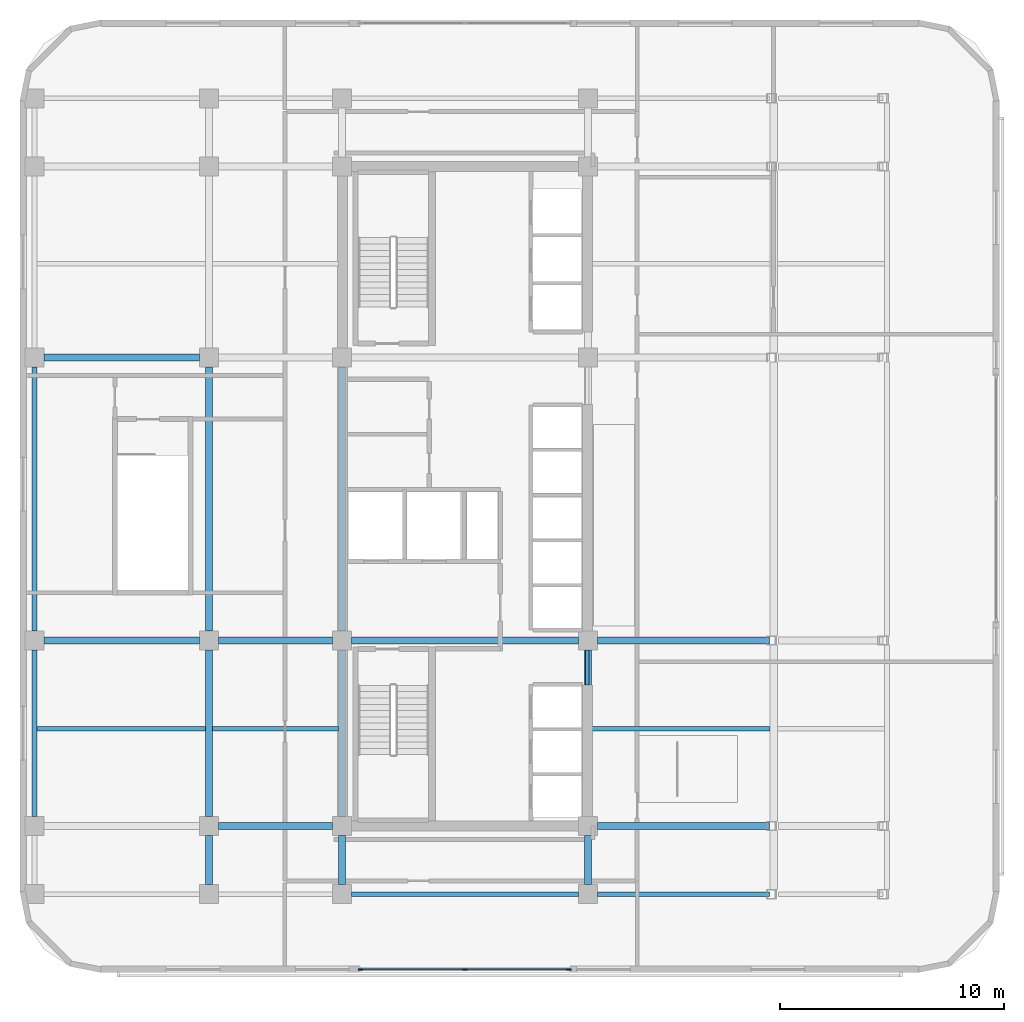
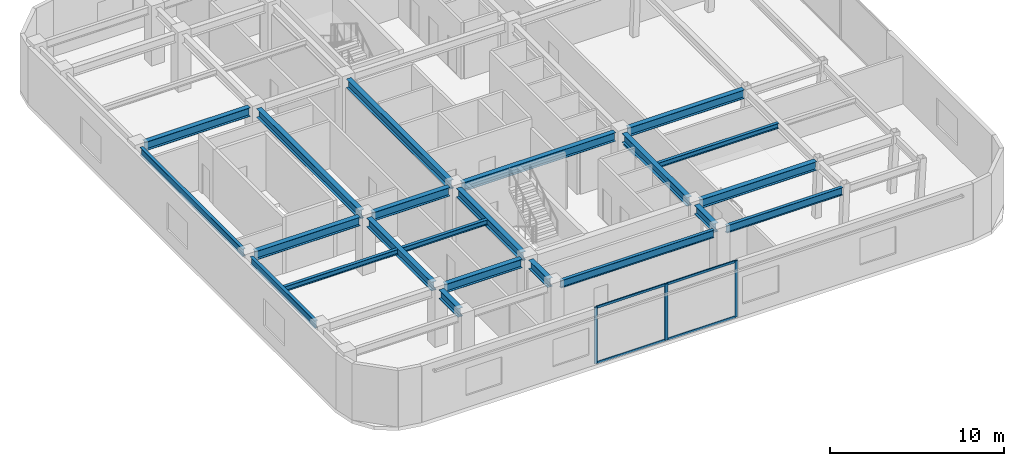
# One storey, part 2 of 13: 23 beams, 7 members, 1 element without a shape of its own.
"""IFC4 building model written with IfcOpenShell, lengths in metres."""

import ifcopenshell
import ifcopenshell.guid

model = None  # the IFC model being written
_history = None  # IfcOwnerHistory: only IFC2X3 demands one
_inside = {}  # id of a spatial element -> (the spatial element, [elements in it])
_under = {}  # id of a project, library or spatial element -> (it, [spatial elements below it])
_declared = {}  # id of a project -> (the project, [libraries it declares])
_typed = {}  # id of a type object -> (the type object, [elements of that type])
_made_of = {}  # id of a material, layer set ... -> (it, [elements and type objects made of it])


def new_model(schema):
    """Start an empty IFC model of exactly this schema.

    Asked for "IFC4X3", IfcOpenShell would pick the latest addendum, in which some entities
    have other attributes; the version numbers below select the first issue.
    IFC2X3 requires an IfcOwnerHistory on every rooted entity: one is made here for all.
    """
    global model, _history
    if schema == "IFC4X3":
        model = ifcopenshell.file(schema_version=(4, 3, 0, 0))
    else:
        model = ifcopenshell.file(schema=schema)
    _inside.clear()
    _under.clear()
    _declared.clear()
    _typed.clear()
    _made_of.clear()
    _history = None
    if model.schema == "IFC2X3":
        org = make("IfcOrganization", Name="unknown")
        user = make(
            "IfcPersonAndOrganization",
            ThePerson=make("IfcPerson", FamilyName="unknown"),
            TheOrganization=org,
        )
        app = make(
            "IfcApplication",
            ApplicationDeveloper=org,
            Version="unknown",
            ApplicationFullName="unknown",
            ApplicationIdentifier="unknown",
        )
        _history = make(
            "IfcOwnerHistory",
            OwningUser=user,
            OwningApplication=app,
            ChangeAction="ADDED",
            CreationDate=0,
        )
    return model


def make(cls, **values):
    """One entity of the class cls with the attributes given. An attribute that is None is left unset."""
    return model.create_entity(
        cls, **{name: value for name, value in values.items() if value is not None}
    )


def rooted(cls, **values):
    """An entity with a GlobalId (a new one), such as an element, a storey or a relation."""
    return make(cls, GlobalId=ifcopenshell.guid.new(), OwnerHistory=_history, **values)


def si_unit(unit_type, name, prefix=None):
    """IfcSIUnit, for example si_unit("LENGTHUNIT", "METRE", prefix="MILLI")."""
    return make("IfcSIUnit", UnitType=unit_type, Prefix=prefix, Name=name)


def assignment(units):
    """IfcUnitAssignment: the units of a project."""
    return None if units is None else make("IfcUnitAssignment", Units=units)


def point(xyz):
    """IfcCartesianPoint."""
    return None if xyz is None else make("IfcCartesianPoint", Coordinates=xyz)


def direction(xyz):
    """IfcDirection."""
    return None if xyz is None else make("IfcDirection", DirectionRatios=xyz)


def frame(location, z_axis=None, x_axis=None):
    """IfcAxis2Placement3D, a coordinate frame: its origin and axes. An axis left out is left unset."""
    return make(
        "IfcAxis2Placement3D",
        Location=point(location),
        Axis=direction(z_axis),
        RefDirection=direction(x_axis),
    )


def frame_2d(location, x_axis=None):
    """IfcAxis2Placement2D, a coordinate frame in the plane: its origin and x axis."""
    return make(
        "IfcAxis2Placement2D", Location=point(location), RefDirection=direction(x_axis)
    )


def origin():
    """The frame at (0, 0, 0) with its axes left unset."""
    return frame((0.0, 0.0, 0.0))


def origin_2d():
    """The frame at (0, 0) in the plane with its x axis left unset."""
    return frame_2d((0.0, 0.0))


def place(relative_to, where):
    """IfcLocalPlacement: puts the frame where relative to a parent placement (None: the world)."""
    return make(
        "IfcLocalPlacement", PlacementRelTo=relative_to, RelativePlacement=where
    )


def context(
    kind, dimensions, precision=None, world=None, true_north=None, identifier=None
):
    """IfcGeometricRepresentationContext, for example the 3D "Model" context."""
    return make(
        "IfcGeometricRepresentationContext",
        ContextIdentifier=identifier,
        ContextType=kind,
        CoordinateSpaceDimension=dimensions,
        Precision=precision,
        WorldCoordinateSystem=world,
        TrueNorth=true_north,
    )


def subcontext(parent, identifier, kind, view, scale=None):
    """IfcGeometricRepresentationSubContext, for example "Body" below "Model"."""
    return make(
        "IfcGeometricRepresentationSubContext",
        ContextIdentifier=identifier,
        ContextType=kind,
        ParentContext=parent,
        TargetScale=scale,
        TargetView=view,
    )


def project(units=None, contexts=None):
    """IfcProject with its units and contexts."""
    return rooted(
        "IfcProject",
        Name="project",
        RepresentationContexts=contexts,
        UnitsInContext=assignment(units),
    )


def spatial(cls, under=None, at=None, **own):
    """A site, building, storey or space (cls), placed at a placement, below another one or the project."""
    s = rooted(cls, ObjectPlacement=at, **own)
    if under is not None:
        _under.setdefault(under.id(), (under, []))[1].append(s)
    return s


def profile(cls, at=None, kind="AREA", **sizes):
    """A parametric profile (cls). Its sizes go by their IFC names, for example OverallWidth=200.0."""
    return make(cls, ProfileType=kind, Position=at, **sizes)


def rectangle(**sizes):
    """IfcRectangleProfileDef."""
    return profile("IfcRectangleProfileDef", **sizes)


def i_section(**sizes):
    """IfcIShapeProfileDef."""
    return profile("IfcIShapeProfileDef", **sizes)


def extrude(swept, where, along, depth):
    """IfcExtrudedAreaSolid: the profile swept, set in the frame where, extruded along a direction by depth."""
    return make(
        "IfcExtrudedAreaSolid",
        SweptArea=swept,
        Position=where,
        ExtrudedDirection=direction(along),
        Depth=depth,
    )


def shape(context_of_items, identifier, shape_type, items):
    """IfcShapeRepresentation: the items that make up one representation, for example the "Body"."""
    return make(
        "IfcShapeRepresentation",
        ContextOfItems=context_of_items,
        RepresentationIdentifier=identifier,
        RepresentationType=shape_type,
        Items=items,
    )


def material(Name=None, Category=None):
    """IfcMaterial."""
    return make("IfcMaterial", Name=Name, Category=Category)


def layer(
    of_material, thickness, ventilated=None, Name=None, Category=None, Priority=None
):
    """IfcMaterialLayer: one layer of a wall or slab, of a material (None: an air gap)."""
    return make(
        "IfcMaterialLayer",
        Material=of_material,
        LayerThickness=thickness,
        IsVentilated=ventilated,
        Name=Name,
        Category=Category,
        Priority=Priority,
    )


def layer_set(layers, Name=None):
    """IfcMaterialLayerSet."""
    return make("IfcMaterialLayerSet", MaterialLayers=layers, LayerSetName=Name)


def material_profile(
    of_material, cross_section, Name=None, Category=None, Priority=None
):
    """IfcMaterialProfile: a cross section and its material."""
    return make(
        "IfcMaterialProfile",
        Name=Name,
        Material=of_material,
        Profile=cross_section,
        Priority=Priority,
        Category=Category,
    )


def profile_set(profiles, Name=None, composite=None):
    """IfcMaterialProfileSet."""
    return make(
        "IfcMaterialProfileSet",
        Name=Name,
        MaterialProfiles=profiles,
        CompositeProfile=composite,
    )


def made_of(thing, what):
    """Note that an element or type object is made of a material, layer set ...; save() writes the relation."""
    if what is not None:
        _made_of.setdefault(what.id(), (what, []))[1].append(thing)
    return thing


def type_object(cls, material=None, **own):
    """A type object (cls), such as IfcWallType, which elements share."""
    return made_of(rooted(cls, **own), material)


def element(
    cls,
    number,
    at=None,
    inside=None,
    cuts=None,
    type_object=None,
    material=None,
    context=None,
    identifier="Body",
    shape_type=None,
    held_by="IfcProductDefinitionShape",
    body=None,
    shapes=None,
    **own,
):
    """One element of the class cls, such as IfcWall. Its Tag is "e" and its number.

    at: its placement. inside: the storey or other place that contains it. cuts: it is an
    opening in that element (IfcRelVoidsElement). A single representation is given by context,
    identifier, shape_type and body (its items); several are given by shapes. held_by: the class
    of the entity that holds the representations. save() writes the other relations.
    """
    e = rooted(cls, Tag="e%d" % number, ObjectPlacement=at, **own)
    if body is not None:
        shapes = [shape(context, identifier, shape_type, body)]
    if shapes is not None:
        e.Representation = make(held_by, Representations=shapes)
    if inside is not None:
        _inside.setdefault(inside.id(), (inside, []))[1].append(e)
    if cuts is not None:
        rooted(
            "IfcRelVoidsElement", RelatingBuildingElement=cuts, RelatedOpeningElement=e
        )
    if type_object is not None:
        _typed.setdefault(type_object.id(), (type_object, []))[1].append(e)
    return made_of(e, material)


def aggregate(whole, parts):
    """IfcRelAggregates: a whole, such as a stair, and the parts it consists of."""
    return rooted("IfcRelAggregates", RelatingObject=whole, RelatedObjects=parts)


def save(model, path):
    """Write the relations noted so far, then the file.

    IfcRelAggregates (storeys below a building ...), IfcRelContainedInSpatialStructure (elements
    in a storey), IfcRelDefinesByType, IfcRelAssociatesMaterial and IfcRelDeclares: one each for
    every whole, place, type object, material and project.
    """
    for whole, parts in _under.values():
        aggregate(whole, parts)
    for where, things in _inside.values():
        rooted(
            "IfcRelContainedInSpatialStructure",
            RelatedElements=things,
            RelatingStructure=where,
        )
    for kind, things in _typed.values():
        rooted("IfcRelDefinesByType", RelatedObjects=things, RelatingType=kind)
    for what, things in _made_of.values():
        rooted("IfcRelAssociatesMaterial", RelatedObjects=things, RelatingMaterial=what)
    for by, libraries in _declared.values():
        rooted("IfcRelDeclares", RelatingContext=by, RelatedDefinitions=libraries)
    model.write(path)


model = new_model("IFC4")

# Units and contexts
model_context = context("Model", 3, precision=1e-05, world=origin(), true_north=direction((0.0, 1.0)))
body_context = subcontext(model_context, "Body", "Model", "MODEL_VIEW")
ifc_project = project(units=[si_unit("LENGTHUNIT", "METRE"), si_unit("AREAUNIT", "SQUARE_METRE"), si_unit("VOLUMEUNIT", "CUBIC_METRE"), si_unit("PLANEANGLEUNIT", "RADIAN"), si_unit("MASSUNIT", "GRAM", prefix="KILO")], contexts=[model_context])

# Site, building, storey
site_placement = place(None, origin())
site = spatial("IfcSite", under=ifc_project, at=site_placement, CompositionType="ELEMENT")
building_placement = place(site_placement, origin())
building = spatial("IfcBuilding", under=site, at=building_placement, Name="Ochreholt Gables", CompositionType="ELEMENT")
storey_placement = place(building_placement, frame((0.0, 0.0, 98.39990234375)))
storey = spatial("IfcBuildingStorey", under=building, at=storey_placement, Name="L25", CompositionType="ELEMENT", Elevation=98.39990234375)

# Beams
ifc_material_1 = material(Name="Steel CSA G40.21 350W", Category="steel")
ifc_material_profile_1 = material_profile(ifc_material_1, i_section(OverallWidth=0.323974609375, OverallDepth=0.611083984375, WebThickness=0.0126953125, FlangeThickness=0.01904296875, at=origin_2d()), Name="W610X155")
ifc_profile_set_1 = profile_set([ifc_material_profile_1], Name="Steel CSA G40.21 350W")
beam_type_1 = type_object("IfcBeamType", Name="BM-G-W610A", PredefinedType="BEAM", material=ifc_profile_set_1)
beam_1_placement = place(storey_placement, frame((18.674560546875, 9.25, 3.654541015625), z_axis=(1.0, 0.0, 0.0), x_axis=(0.0, 1.0, 0.0)))
element("IfcBeam", 1, at=beam_1_placement, inside=storey, type_object=beam_type_1, Name="L25 Beam TBG-L25-W3C1-Y2", PredefinedType="BEAM", context=body_context, shape_type="SweptSolid", body=[
    extrude(i_section(OverallWidth=0.323974609375, OverallDepth=0.611083984375, WebThickness=0.0126953125, FlangeThickness=0.01904296875, at=origin_2d()), origin(), (0.0, 0.0, 1.0), 5.100830078125),
])
beam_2_placement = place(storey_placement, frame((35.62451171875, 9.25, 3.654541015625), z_axis=(1.0, 0.0, 0.0), x_axis=(0.0, 1.0, 0.0)))
element("IfcBeam", 2, at=beam_2_placement, inside=storey, type_object=beam_type_1, Name="L25 Beam TBG-L25-C2EM-Y2", PredefinedType="BEAM", context=body_context, shape_type="SweptSolid", body=[
    extrude(i_section(OverallWidth=0.323974609375, OverallDepth=0.611083984375, WebThickness=0.0126953125, FlangeThickness=0.01904296875, at=origin_2d()), origin(), (0.0, 0.0, 1.0), 7.699951171875),
])
beam_3_placement = place(storey_placement, frame((10.87451171875, 17.550048828125, 3.654541015625), z_axis=(1.0, 0.0, 0.0), x_axis=(0.0, 1.0, 0.0)))
element("IfcBeam", 3, at=beam_3_placement, inside=storey, type_object=beam_type_1, Name="L25 Beam TBG-L25-W2W3-Y3", PredefinedType="BEAM", context=body_context, shape_type="SweptSolid", body=[
    extrude(i_section(OverallWidth=0.323974609375, OverallDepth=0.611083984375, WebThickness=0.0126953125, FlangeThickness=0.01904296875, at=origin_2d()), origin(), (0.0, 0.0, 1.0), 6.950927734375),
])
beam_4_placement = place(storey_placement, frame((18.674560546875, 17.550048828125, 3.654541015625), z_axis=(1.0, 0.0, 0.0), x_axis=(0.0, 1.0, 0.0)))
element("IfcBeam", 4, at=beam_4_placement, inside=storey, type_object=beam_type_1, Name="L25 Beam TBG-L25-W3C1-Y3", PredefinedType="BEAM", context=body_context, shape_type="SweptSolid", body=[
    extrude(i_section(OverallWidth=0.323974609375, OverallDepth=0.611083984375, WebThickness=0.0126953125, FlangeThickness=0.01904296875, at=origin_2d()), origin(), (0.0, 0.0, 1.0), 5.100830078125),
])
beam_5_placement = place(storey_placement, frame((24.62451171875, 17.550048828125, 3.654541015625), z_axis=(1.0, 0.0, 0.0), x_axis=(0.0, 1.0, 0.0)))
element("IfcBeam", 5, at=beam_5_placement, inside=storey, type_object=beam_type_1, Name="L25 Beam TBG-L25-C1C2-Y3", PredefinedType="BEAM", context=body_context, shape_type="SweptSolid", body=[
    extrude(i_section(OverallWidth=0.323974609375, OverallDepth=0.611083984375, WebThickness=0.0126953125, FlangeThickness=0.01904296875, at=origin_2d()), origin(), (0.0, 0.0, 1.0), 10.15087890625),
])
beam_6_placement = place(storey_placement, frame((35.62451171875, 17.550048828125, 3.654541015625), z_axis=(1.0, 0.0, 0.0), x_axis=(0.0, 1.0, 0.0)))
element("IfcBeam", 6, at=beam_6_placement, inside=storey, type_object=beam_type_1, Name="L25 Beam TBG-L25-C2EM-Y3", PredefinedType="BEAM", context=body_context, shape_type="SweptSolid", body=[
    extrude(i_section(OverallWidth=0.323974609375, OverallDepth=0.611083984375, WebThickness=0.0126953125, FlangeThickness=0.01904296875, at=origin_2d()), origin(), (0.0, 0.0, 1.0), 7.699951171875),
])
beam_7_placement = place(storey_placement, frame((10.87451171875, 30.199951171875, 3.654541015625), z_axis=(1.0, 0.0, 0.0), x_axis=(0.0, 1.0, 0.0)))
element("IfcBeam", 7, at=beam_7_placement, inside=storey, type_object=beam_type_1, Name="L25 Beam TBG-L25-W2W3-Y4", PredefinedType="BEAM", context=body_context, shape_type="SweptSolid", body=[
    extrude(i_section(OverallWidth=0.323974609375, OverallDepth=0.611083984375, WebThickness=0.0126953125, FlangeThickness=0.01904296875, at=origin_2d()), origin(), (0.0, 0.0, 1.0), 6.950927734375),
])
beam_8_placement = place(storey_placement, frame((18.25, 6.62451171875, 3.654541015625), z_axis=(0.0, 1.0, 0.0), x_axis=(-1.0, 0.0, 0.0)))
element("IfcBeam", 8, at=beam_8_placement, inside=storey, type_object=beam_type_1, Name="L25 Beam TBN-L25-W3-Y1Y2", PredefinedType="BEAM", context=body_context, shape_type="SweptSolid", body=[
    extrude(i_section(OverallWidth=0.323974609375, OverallDepth=0.611083984375, WebThickness=0.0126953125, FlangeThickness=0.01904296875, at=origin_2d()), origin(), (0.0, 0.0, 1.0), 2.200927734375),
])
beam_9_placement = place(storey_placement, frame((18.25, 9.674560546875, 3.654541015625), z_axis=(0.0, 1.0, 0.0), x_axis=(-1.0, 0.0, 0.0)))
element("IfcBeam", 9, at=beam_9_placement, inside=storey, type_object=beam_type_1, Name="L25 Beam TBN-L25-W3-Y2Y3", PredefinedType="BEAM", context=body_context, shape_type="SweptSolid", body=[
    extrude(i_section(OverallWidth=0.323974609375, OverallDepth=0.611083984375, WebThickness=0.0126953125, FlangeThickness=0.01904296875, at=origin_2d()), origin(), (0.0, 0.0, 1.0), 7.450927734375),
])
beam_10_placement = place(storey_placement, frame((18.25, 17.974609375, 3.654541015625), z_axis=(0.0, 1.0, 0.0), x_axis=(-1.0, 0.0, 0.0)))
element("IfcBeam", 10, at=beam_10_placement, inside=storey, type_object=beam_type_1, Name="L25 Beam TBN-L25-W3-Y3Y4", PredefinedType="BEAM", context=body_context, shape_type="SweptSolid", body=[
    extrude(i_section(OverallWidth=0.323974609375, OverallDepth=0.611083984375, WebThickness=0.0126953125, FlangeThickness=0.01904296875, at=origin_2d()), origin(), (0.0, 0.0, 1.0), 11.80078125),
])
beam_11_placement = place(storey_placement, frame((24.199951171875, 6.62451171875, 3.654541015625), z_axis=(0.0, 1.0, 0.0), x_axis=(-1.0, 0.0, 0.0)))
element("IfcBeam", 11, at=beam_11_placement, inside=storey, type_object=beam_type_1, Name="L25 Beam TBN-L25-C1-Y1Y2", PredefinedType="BEAM", context=body_context, shape_type="SweptSolid", body=[
    extrude(i_section(OverallWidth=0.323974609375, OverallDepth=0.611083984375, WebThickness=0.0126953125, FlangeThickness=0.01904296875, at=origin_2d()), origin(), (0.0, 0.0, 1.0), 2.200927734375),
])
beam_12_placement = place(storey_placement, frame((24.199951171875, 9.674560546875, 3.654541015625), z_axis=(0.0, 1.0, 0.0), x_axis=(-1.0, 0.0, 0.0)))
element("IfcBeam", 12, at=beam_12_placement, inside=storey, type_object=beam_type_1, Name="L25 Beam TBN-L25-C1-Y2Y3", PredefinedType="BEAM", context=body_context, shape_type="SweptSolid", body=[
    extrude(i_section(OverallWidth=0.323974609375, OverallDepth=0.611083984375, WebThickness=0.0126953125, FlangeThickness=0.01904296875, at=origin_2d()), origin(), (0.0, 0.0, 1.0), 7.450927734375),
])
beam_13_placement = place(storey_placement, frame((24.199951171875, 17.974609375, 3.654541015625), z_axis=(0.0, 1.0, 0.0), x_axis=(-1.0, 0.0, 0.0)))
element("IfcBeam", 13, at=beam_13_placement, inside=storey, type_object=beam_type_1, Name="L25 Beam TBN-L25-C1-Y3Y4", PredefinedType="BEAM", context=body_context, shape_type="SweptSolid", body=[
    extrude(i_section(OverallWidth=0.323974609375, OverallDepth=0.611083984375, WebThickness=0.0126953125, FlangeThickness=0.01904296875, at=origin_2d()), origin(), (0.0, 0.0, 1.0), 11.80078125),
])
beam_14_placement = place(storey_placement, frame((35.199951171875, 6.62451171875, 3.654541015625), z_axis=(0.0, 1.0, 0.0), x_axis=(-1.0, 0.0, 0.0)))
element("IfcBeam", 14, at=beam_14_placement, inside=storey, type_object=beam_type_1, Name="L25 Beam TBN-L25-C2-Y1Y2", PredefinedType="BEAM", context=body_context, shape_type="SweptSolid", body=[
    extrude(i_section(OverallWidth=0.323974609375, OverallDepth=0.611083984375, WebThickness=0.0126953125, FlangeThickness=0.01904296875, at=origin_2d()), origin(), (0.0, 0.0, 1.0), 2.200927734375),
])
beam_15_placement = place(storey_placement, frame((35.199951171875, 9.674560546875, 3.654541015625), z_axis=(0.0, 1.0, 0.0), x_axis=(-1.0, 0.0, 0.0)))
element("IfcBeam", 15, at=beam_15_placement, inside=storey, type_object=beam_type_1, Name="L25 Beam TBN-L25-C2-Y2Y3", PredefinedType="BEAM", context=body_context, shape_type="SweptSolid", body=[
    extrude(i_section(OverallWidth=0.323974609375, OverallDepth=0.611083984375, WebThickness=0.0126953125, FlangeThickness=0.01904296875, at=origin_2d()), origin(), (0.0, 0.0, 1.0), 7.450927734375),
])
ifc_material_profile_2 = material_profile(ifc_material_1, i_section(OverallWidth=0.205078125, OverallDepth=0.35400390625, WebThickness=0.009521484375, FlangeThickness=0.016845703125, at=origin_2d()), Name="W360X79")
ifc_profile_set_2 = profile_set([ifc_material_profile_2], Name="Steel CSA G40.21 350W")
beam_type_2 = type_object("IfcBeamType", Name="BM-J-W360A", PredefinedType="JOIST", material=ifc_profile_set_2)
beam_16_placement = place(storey_placement, frame((10.55419921875, 13.60009765625, 3.783203125), z_axis=(1.0, 0.0, 0.0), x_axis=(0.0, 1.0, 0.0)))
element("IfcBeam", 16, at=beam_16_placement, inside=storey, type_object=beam_type_2, Name="L25 Beam TBJ-L25-J1-W2W3", PredefinedType="JOIST", context=body_context, shape_type="SweptSolid", body=[
    extrude(i_section(OverallWidth=0.205078125, OverallDepth=0.35400390625, WebThickness=0.009521484375, FlangeThickness=0.016845703125, at=origin_2d()), origin(), (0.0, 0.0, 1.0), 7.5341796875),
])
beam_17_placement = place(storey_placement, frame((18.41162109375, 13.60009765625, 3.783203125), z_axis=(1.0, 0.0, 0.0), x_axis=(0.0, 1.0, 0.0)))
element("IfcBeam", 17, at=beam_17_placement, inside=storey, type_object=beam_type_2, Name="L25 Beam TBJ-L25-J1-W3C1", PredefinedType="JOIST", context=body_context, shape_type="SweptSolid", body=[
    extrude(i_section(OverallWidth=0.205078125, OverallDepth=0.35400390625, WebThickness=0.009521484375, FlangeThickness=0.016845703125, at=origin_2d()), origin(), (0.0, 0.0, 1.0), 5.626708984375),
])
beam_18_placement = place(storey_placement, frame((35.361572265625, 13.60009765625, 3.783203125), z_axis=(1.0, 0.0, 0.0), x_axis=(0.0, 1.0, 0.0)))
element("IfcBeam", 18, at=beam_18_placement, inside=storey, type_object=beam_type_2, Name="L25 Beam TBJ-L25-J1-C2EM", PredefinedType="JOIST", context=body_context, shape_type="SweptSolid", body=[
    extrude(i_section(OverallWidth=0.205078125, OverallDepth=0.35400390625, WebThickness=0.009521484375, FlangeThickness=0.016845703125, at=origin_2d()), origin(), (0.0, 0.0, 1.0), 7.98681640625),
])
ifc_material_profile_3 = material_profile(ifc_material_1, i_section(OverallWidth=0.1650390625, OverallDepth=0.200927734375, WebThickness=0.006103515625, FlangeThickness=0.01025390625, at=origin_2d()), Name="W200X36")
ifc_profile_set_3 = profile_set([ifc_material_profile_3], Name="Steel CSA G40.21 350W")
beam_type_3 = type_object("IfcBeamType", Name="BM-LIN-W200", PredefinedType="LINTEL", material=ifc_profile_set_3)
beam_19_placement = place(storey_placement, frame((35.175048828125, 15.550048828125, 3.24853515625), z_axis=(0.0, 1.0, 0.0), x_axis=(-1.0, 0.0, 0.0)))
element("IfcBeam", 19, at=beam_19_placement, inside=storey, type_object=beam_type_3, Name="L25 Core Coupling Lintel CPS", PredefinedType="LINTEL", context=body_context, shape_type="SweptSolid", body=[
    extrude(i_section(OverallWidth=0.1650390625, OverallDepth=0.200927734375, WebThickness=0.006103515625, FlangeThickness=0.01025390625, at=origin_2d()), origin(), (0.0, 0.0, 1.0), 1.574951171875),
])
ifc_material_profile_4 = material_profile(ifc_material_1, i_section(OverallWidth=0.208984375, OverallDepth=0.532958984375, WebThickness=0.01025390625, FlangeThickness=0.015625, at=origin_2d()), Name="W530X92")
ifc_profile_set_4 = profile_set([ifc_material_profile_4], Name="Steel CSA G40.21 350W")
beam_type_4 = type_object("IfcBeamType", Name="BM-SP-W530B", PredefinedType="SPANDREL", material=ifc_profile_set_4)
beam_20_placement = place(storey_placement, frame((24.62451171875, 6.199951171875, 3.693603515625), z_axis=(1.0, 0.0, 0.0), x_axis=(0.0, 1.0, 0.0)))
element("IfcBeam", 20, at=beam_20_placement, inside=storey, type_object=beam_type_4, Name="L25 Beam TBG-L25-C1C2-Y1", PredefinedType="SPANDREL", context=body_context, shape_type="SweptSolid", body=[
    extrude(i_section(OverallWidth=0.208984375, OverallDepth=0.532958984375, WebThickness=0.01025390625, FlangeThickness=0.015625, at=origin_2d()), origin(), (0.0, 0.0, 1.0), 10.15087890625),
])
beam_21_placement = place(storey_placement, frame((35.62451171875, 6.199951171875, 3.693603515625), z_axis=(1.0, 0.0, 0.0), x_axis=(0.0, 1.0, 0.0)))
element("IfcBeam", 21, at=beam_21_placement, inside=storey, type_object=beam_type_4, Name="L25 Beam TBG-L25-C2EM-Y1", PredefinedType="SPANDREL", context=body_context, shape_type="SweptSolid", body=[
    extrude(i_section(OverallWidth=0.208984375, OverallDepth=0.532958984375, WebThickness=0.01025390625, FlangeThickness=0.015625, at=origin_2d()), origin(), (0.0, 0.0, 1.0), 7.699951171875),
])
beam_22_placement = place(storey_placement, frame((10.449951171875, 9.674560546875, 3.693603515625), z_axis=(0.0, 1.0, 0.0), x_axis=(-1.0, 0.0, 0.0)))
element("IfcBeam", 22, at=beam_22_placement, inside=storey, type_object=beam_type_4, Name="L25 Beam TBN-L25-W2-Y2Y3", PredefinedType="SPANDREL", context=body_context, shape_type="SweptSolid", body=[
    extrude(i_section(OverallWidth=0.208984375, OverallDepth=0.532958984375, WebThickness=0.01025390625, FlangeThickness=0.015625, at=origin_2d()), origin(), (0.0, 0.0, 1.0), 7.450927734375),
])
beam_23_placement = place(storey_placement, frame((10.449951171875, 17.974609375, 3.693603515625), z_axis=(0.0, 1.0, 0.0), x_axis=(-1.0, 0.0, 0.0)))
element("IfcBeam", 23, at=beam_23_placement, inside=storey, type_object=beam_type_4, Name="L25 Beam TBN-L25-W2-Y3Y4", PredefinedType="SPANDREL", context=body_context, shape_type="SweptSolid", body=[
    extrude(i_section(OverallWidth=0.208984375, OverallDepth=0.532958984375, WebThickness=0.01025390625, FlangeThickness=0.015625, at=origin_2d()), origin(), (0.0, 0.0, 1.0), 11.80078125),
])

# Curtain wall, members
ifc_material_2 = material(Name="Unitised Aluminium and Triple Glazing", Category="aluminium")
ifc_layer = layer(ifc_material_2, 0.219970703125, Name="Unitised Aluminium and Triple Glazing")
ifc_layer_set = layer_set([ifc_layer], Name="Unitised Aluminium and Triple Glazing")
curtain_wall_type = type_object("IfcCurtainWallType", Name="CW-SYS6", PredefinedType="NOTDEFINED", material=ifc_layer_set)
curtain_wall_placement = place(storey_placement, origin())
curtain_wall = element("IfcCurtainWall", 24, at=curtain_wall_placement, inside=storey, type_object=curtain_wall_type, Name="L25 South Unitised Curtain Wall", PredefinedType="NOTDEFINED")
ifc_material_3 = material(Name="Anodized Aluminium 6063-T6", Category="aluminium")
ifc_material_profile_5 = material_profile(ifc_material_3, rectangle(XDim=0.074951171875, YDim=0.199951171875, at=origin_2d()), Name="CWM75X200")
ifc_profile_set_5 = profile_set([ifc_material_profile_5], Name="Anodized Aluminium 6063-T6")
member_type_1 = type_object("IfcMemberType", Name="CW-MUL-A", PredefinedType="MULLION", material=ifc_profile_set_5)
member_1_placement = place(storey_placement, frame((25.03759765625, 2.840087890625, 0.0), z_axis=(0.0, 0.0, 1.0), x_axis=(0.0, 1.0, 0.0)))
member_1 = element("IfcMember", 25, at=member_1_placement, type_object=member_type_1, Name="CW-6 mullion 1", PredefinedType="MULLION", context=body_context, shape_type="SweptSolid", body=[
    extrude(rectangle(XDim=0.074951171875, YDim=0.199951171875, at=origin_2d()), origin(), (0.0, 0.0, 1.0), 3.960205078125),
])
member_2_placement = place(storey_placement, frame((29.699951171875, 2.840087890625, 0.0), z_axis=(0.0, 0.0, 1.0), x_axis=(0.0, 1.0, 0.0)))
member_2 = element("IfcMember", 26, at=member_2_placement, type_object=member_type_1, Name="CW-6 mullion 2", PredefinedType="MULLION", context=body_context, shape_type="SweptSolid", body=[
    extrude(rectangle(XDim=0.074951171875, YDim=0.199951171875, at=origin_2d()), origin(), (0.0, 0.0, 1.0), 3.960205078125),
])
member_3_placement = place(storey_placement, frame((34.362548828125, 2.840087890625, 0.0), z_axis=(0.0, 0.0, 1.0), x_axis=(0.0, 1.0, 0.0)))
member_3 = element("IfcMember", 27, at=member_3_placement, type_object=member_type_1, Name="CW-6 mullion 3", PredefinedType="MULLION", context=body_context, shape_type="SweptSolid", body=[
    extrude(rectangle(XDim=0.074951171875, YDim=0.199951171875, at=origin_2d()), origin(), (0.0, 0.0, 1.0), 3.960205078125),
])
ifc_material_profile_6 = material_profile(ifc_material_3, rectangle(XDim=0.074951171875, YDim=0.159912109375, at=origin_2d()), Name="CWT75X160")
ifc_profile_set_6 = profile_set([ifc_material_profile_6], Name="Anodized Aluminium 6063-T6")
member_type_2 = type_object("IfcMemberType", Name="CW-TRN-A", PredefinedType="USERDEFINED", material=ifc_profile_set_6)
member_4_placement = place(storey_placement, frame((25.074951171875, 2.840087890625, 0.03759765625), z_axis=(1.0, 0.0, 0.0), x_axis=(0.0, 1.0, 0.0)))
member_4 = element("IfcMember", 28, at=member_4_placement, type_object=member_type_2, Name="CW-6 transom 1.1", ObjectType="TRANSOM", PredefinedType="USERDEFINED", context=body_context, shape_type="SweptSolid", body=[
    extrude(rectangle(XDim=0.074951171875, YDim=0.159912109375, at=origin_2d()), origin(), (0.0, 0.0, 1.0), 4.587646484375),
])
member_5_placement = place(storey_placement, frame((25.074951171875, 2.840087890625, 3.922607421875), z_axis=(1.0, 0.0, 0.0), x_axis=(0.0, 1.0, 0.0)))
member_5 = element("IfcMember", 29, at=member_5_placement, type_object=member_type_2, Name="CW-6 transom 1.2", ObjectType="TRANSOM", PredefinedType="USERDEFINED", context=body_context, shape_type="SweptSolid", body=[
    extrude(rectangle(XDim=0.074951171875, YDim=0.159912109375, at=origin_2d()), origin(), (0.0, 0.0, 1.0), 4.587646484375),
])
member_6_placement = place(storey_placement, frame((29.737548828125, 2.840087890625, 0.03759765625), z_axis=(1.0, 0.0, 0.0), x_axis=(0.0, 1.0, 0.0)))
member_6 = element("IfcMember", 30, at=member_6_placement, type_object=member_type_2, Name="CW-6 transom 2.1", ObjectType="TRANSOM", PredefinedType="USERDEFINED", context=body_context, shape_type="SweptSolid", body=[
    extrude(rectangle(XDim=0.074951171875, YDim=0.159912109375, at=origin_2d()), origin(), (0.0, 0.0, 1.0), 4.58740234375),
])
member_7_placement = place(storey_placement, frame((29.737548828125, 2.840087890625, 3.922607421875), z_axis=(1.0, 0.0, 0.0), x_axis=(0.0, 1.0, 0.0)))
member_7 = element("IfcMember", 31, at=member_7_placement, type_object=member_type_2, Name="CW-6 transom 2.2", ObjectType="TRANSOM", PredefinedType="USERDEFINED", context=body_context, shape_type="SweptSolid", body=[
    extrude(rectangle(XDim=0.074951171875, YDim=0.159912109375, at=origin_2d()), origin(), (0.0, 0.0, 1.0), 4.58740234375),
])
aggregate(curtain_wall, [member_1, member_2, member_3, member_4, member_5, member_6, member_7])

save(model, "model.ifc")
